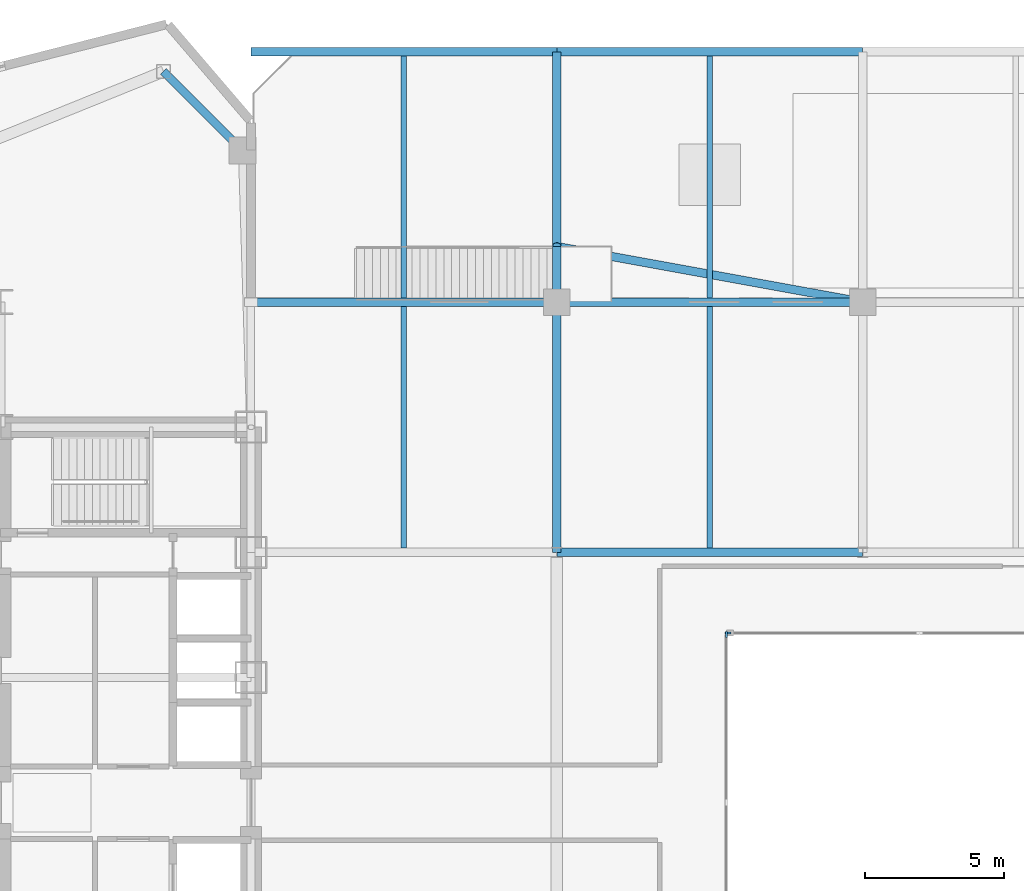
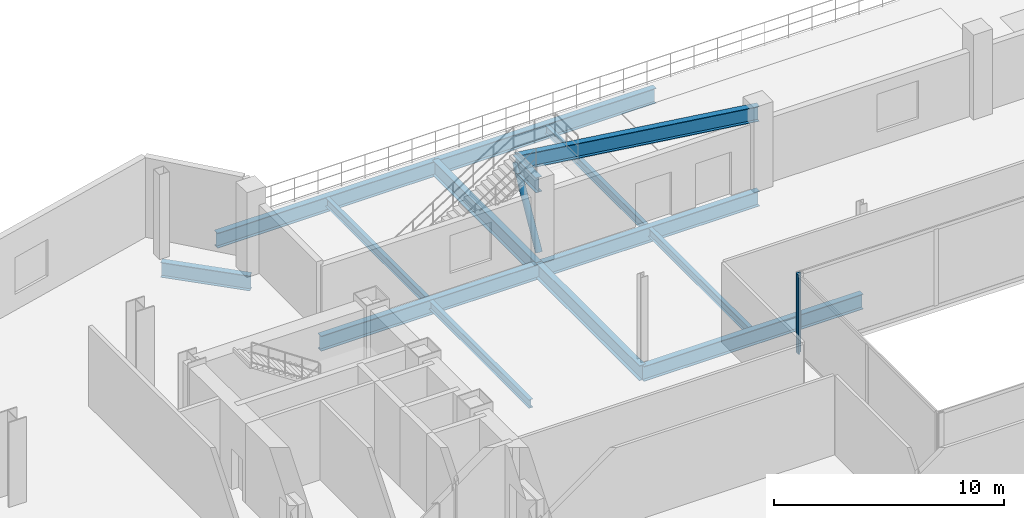
# One storey, part 12 of 27: 14 beams, 3 members, 2 elements without a shape of their own.
"""IFC4 building model written with IfcOpenShell, lengths in metres."""

from ifc_helpers import new_model, si_unit, direction, frame, origin, origin_2d, place, context, subcontext, project, spatial, rectangle, hollow_circle, i_section, extrude, source, transform, mapped, material, layer, layer_set, material_profile, profile_set, type_object, type_shapes, element, aggregate, save


model = new_model("IFC4")

# Units and contexts
model_context = context("Model", 3, precision=1e-05, world=origin(), true_north=direction((0.0, 1.0)))
body_context = subcontext(model_context, "Body", "Model", "MODEL_VIEW")
ifc_project = project(units=[si_unit("LENGTHUNIT", "METRE"), si_unit("AREAUNIT", "SQUARE_METRE"), si_unit("VOLUMEUNIT", "CUBIC_METRE"), si_unit("PLANEANGLEUNIT", "RADIAN"), si_unit("MASSUNIT", "GRAM", prefix="KILO")], contexts=[model_context])

# Site, building, storey
site_placement = place(None, origin())
site = spatial("IfcSite", under=ifc_project, at=site_placement, CompositionType="ELEMENT")
building_placement = place(site_placement, origin())
building = spatial("IfcBuilding", under=site, at=building_placement, Name="Seokmaru Belvedere", CompositionType="ELEMENT")
storey_placement = place(building_placement, frame((0.0, 0.0, 9.89990234375)))
storey = spatial("IfcBuildingStorey", under=building, at=storey_placement, Name="L02", CompositionType="ELEMENT", Elevation=9.89990234375)

# Beams
ifc_material_1 = material(Name="Steel SM355 (355 MPa)", Category="steel")
ifc_material_profile_1 = material_profile(ifc_material_1, i_section(OverallWidth=0.300048828125, OverallDepth=0.800048828125, WebThickness=0.013916015625, FlangeThickness=0.02587890625, at=origin_2d()), Name="H-800x300x14x26")
ifc_profile_set_1 = profile_set([ifc_material_profile_1], Name="Steel SM355 (355 MPa)")
beam_type_1 = type_object("IfcBeamType", Name="Podium Primary Girder H-800", PredefinedType="BEAM", material=ifc_profile_set_1)
shared_shape_1 = source(origin(), body_context, "Body", "SweptSolid", [
    extrude(i_section(OverallWidth=0.300048828125, OverallDepth=0.800048828125, WebThickness=0.013916015625, FlangeThickness=0.02587890625, at=origin_2d()), origin(), (0.0, 0.0, 1.0), 9.0),
])
for number, where, z_axis, x_axis, name in (
    (1, (-16.5, 9.0, -0.679931640625), (0.0, 1.0, 0.0), (-1.0, 0.0, 0.0), "L02 Central Podium Transverse Girder 1-4"),
    (2, (-16.5, 18.0, -0.679931640625), (0.0, 1.0, 0.0), (-1.0, 0.0, 0.0), "L02 Central Podium Transverse Girder 1-5"),
):
    element("IfcBeam", number, at=place(storey_placement, frame(where, z_axis=z_axis, x_axis=x_axis)), inside=storey, type_object=beam_type_1, Name=name, PredefinedType="BEAM", context=body_context, shape_type="MappedRepresentation", body=[
        mapped(shared_shape_1, transform((0.0, 0.0, 0.0), scale=1.0)),
    ])
ifc_material_profile_2 = material_profile(ifc_material_1, i_section(OverallWidth=0.199951171875, OverallDepth=0.449951171875, WebThickness=0.009033203125, FlangeThickness=0.013916015625, at=origin_2d()), Name="H-450x200x9x14")
ifc_profile_set_2 = profile_set([ifc_material_profile_2], Name="Steel SM355 (355 MPa)")
beam_type_2 = type_object("IfcBeamType", Name="Podium Secondary Joist H-450", PredefinedType="JOIST", material=ifc_profile_set_2)
shared_shape_2 = source(origin(), body_context, "Body", "SweptSolid", [
    extrude(i_section(OverallWidth=0.199951171875, OverallDepth=0.449951171875, WebThickness=0.009033203125, FlangeThickness=0.013916015625, at=origin_2d()), origin(), (0.0, 0.0, 1.0), 8.68994140625),
])
type_shapes(beam_type_2, [shared_shape_2])
for number, where, z_axis, x_axis, name in (
    (3, (-22.0, 9.155029296875, -0.5048828125), (0.0, 1.0, 0.0), (-1.0, 0.0, 0.0), "L02 Central Podium Secondary Joist 1-3"),
    (4, (-22.0, 18.155029296875, -0.5048828125), (0.0, 1.0, 0.0), (-1.0, 0.0, 0.0), "L02 Central Podium Secondary Joist 1-4"),
    (5, (-11.0, 9.155029296875, -0.5048828125), (0.0, 1.0, 0.0), (-1.0, 0.0, 0.0), "L02 Central Podium Secondary Joist 2-3"),
    (6, (-11.0, 18.155029296875, -0.5048828125), (0.0, 1.0, 0.0), (-1.0, 0.0, 0.0), "L02 Central Podium Secondary Joist 2-4"),
):
    element("IfcBeam", number, at=place(storey_placement, frame(where, z_axis=z_axis, x_axis=x_axis)), inside=storey, type_object=beam_type_2, Name=name, PredefinedType="JOIST", context=body_context, shape_type="MappedRepresentation", body=[
        mapped(shared_shape_2, transform((0.0, 0.0, 0.0), scale=1.0)),
    ])
shared_shape_3 = source(origin(), body_context, "Body", "SweptSolid", [
    extrude(i_section(OverallWidth=0.300048828125, OverallDepth=0.800048828125, WebThickness=0.013916015625, FlangeThickness=0.02587890625, at=origin_2d()), origin(), (0.0, 0.0, 1.0), 4.02099609375),
])
beam_1_placement = place(storey_placement, frame((-30.643310546875, 26.294677734375, -0.679931640625), z_axis=(0.707106781187, -0.707106781187, 0.0), x_axis=(0.707106781187, 0.707106781187, 0.0)))
element("IfcBeam", 7, at=beam_1_placement, inside=storey, type_object=beam_type_1, Name="L02 W Podium North Shoulder Girder", PredefinedType="BEAM", context=body_context, shape_type="MappedRepresentation", body=[
    mapped(shared_shape_3, transform((0.0, 0.0, 0.0), scale=1.0)),
])
shared_shape_4 = source(origin(), body_context, "Body", "SweptSolid", [
    extrude(i_section(OverallWidth=0.300048828125, OverallDepth=0.800048828125, WebThickness=0.013916015625, FlangeThickness=0.02587890625, at=origin_2d()), origin(), (0.0, 0.0, 1.0), 11.0),
])
for number, where, z_axis, x_axis, name in (
    (8, (-16.5, 9.0, -0.679931640625), (1.0, 0.0, 0.0), (0.0, 1.0, 0.0), "L02 Central Podium Girder 4-2"),
    (9, (-27.5, 18.0, -0.679931640625), (1.0, 0.0, 0.0), (0.0, 1.0, 0.0), "L02 Central Podium Girder 5-1"),
    (10, (-16.5, 18.0, -0.679931640625), (1.0, 0.0, 0.0), (0.0, 1.0, 0.0), "L02 Central Podium Girder 5-2"),
    (11, (-27.5, 27.0, -0.679931640625), (1.0, 0.0, 0.0), (0.0, 1.0, 0.0), "L02 Central Podium Girder 6-1"),
    (12, (-16.5, 27.0, -0.679931640625), (1.0, 0.0, 0.0), (0.0, 1.0, 0.0), "L02 Central Podium Girder 6-2"),
):
    element("IfcBeam", number, at=place(storey_placement, frame(where, z_axis=z_axis, x_axis=x_axis)), inside=storey, type_object=beam_type_1, Name=name, PredefinedType="BEAM", context=body_context, shape_type="MappedRepresentation", body=[
        mapped(shared_shape_4, transform((0.0, 0.0, 0.0), scale=1.0)),
    ])

# Curtain wall, member
ifc_material_2 = material(Name="Bronze Triple Insulating Glass", Category="glass")
ifc_layer = layer(ifc_material_2, 0.219970703125)
ifc_layer_set = layer_set([ifc_layer], Name="Bronze Triple Insulating Glass")
curtain_wall_type = type_object("IfcCurtainWallType", Name="Podium Concourse Curtain Wall System CW-1", PredefinedType="NOTDEFINED", material=ifc_layer_set)
curtain_wall_1_placement = place(storey_placement, origin())
curtain_wall_1 = element("IfcCurtainWall", 13, at=curtain_wall_1_placement, inside=storey, type_object=curtain_wall_type, Name="L02 Curtain Wall AT_N", PredefinedType="NOTDEFINED")
ifc_material_3 = material(Name="Anodised Bronze Aluminium", Category="aluminium")
ifc_material_profile_3 = material_profile(ifc_material_3, rectangle(XDim=0.080078125, YDim=0.219970703125, at=origin_2d()), Name="CW-M-80x220")
ifc_profile_set_3 = profile_set([ifc_material_profile_3], Name="Anodised Bronze Aluminium")
member_type_1 = type_object("IfcMemberType", Name="Bronze Unitised Mullion 80x220", PredefinedType="MULLION", material=ifc_profile_set_3)
shared_shape_5 = source(origin(), body_context, "Body", "SweptSolid", [
    extrude(rectangle(XDim=0.080078125, YDim=0.219970703125, at=origin_2d()), origin(), (0.0, 0.0, 1.0), 4.22021484375),
])
type_shapes(member_type_1, [shared_shape_5])
member_1_placement = place(storey_placement, frame((-10.340087890625, 6.10009765625, 0.0), z_axis=(0.0, 0.0, 1.0), x_axis=(0.0, -1.0, 0.0)))
member_1 = element("IfcMember", 14, at=member_1_placement, type_object=member_type_1, Name="CW:L02:AT_N Mullion 4", PredefinedType="MULLION", context=body_context, shape_type="MappedRepresentation", body=[
    mapped(shared_shape_5, transform((0.0, 0.0, 0.0), scale=1.0)),
])
aggregate(curtain_wall_1, [member_1])

curtain_wall_2_placement = place(storey_placement, origin())
curtain_wall_2 = element("IfcCurtainWall", 15, at=curtain_wall_2_placement, inside=storey, type_object=curtain_wall_type, Name="L02 Curtain Wall AT_W", PredefinedType="NOTDEFINED")
member_2_placement = place(storey_placement, frame((-10.39990234375, 6.0400390625, 0.0), z_axis=(0.0, 0.0, 1.0), x_axis=(1.0, 0.0, 0.0)))
member_2 = element("IfcMember", 16, at=member_2_placement, type_object=member_type_1, Name="CW:L02:AT_W Mullion 1", PredefinedType="MULLION", context=body_context, shape_type="MappedRepresentation", body=[
    mapped(shared_shape_5, transform((0.0, 0.0, 0.0), scale=1.0)),
])
aggregate(curtain_wall_2, [member_2])

# Beams
shared_shape_6 = source(origin(), body_context, "Body", "SweptSolid", [
    extrude(i_section(OverallWidth=0.300048828125, OverallDepth=0.800048828125, WebThickness=0.013916015625, FlangeThickness=0.02587890625, at=origin_2d()), origin(), (0.0, 0.0, 1.0), 2.0),
])
beam_2_placement = place(storey_placement, frame((-16.5, 18.0, 3.820068359375), z_axis=(0.0, 1.0, 0.0), x_axis=(-1.0, 0.0, 0.0)))
element("IfcBeam", 17, at=beam_2_placement, inside=storey, type_object=beam_type_1, Name="L02 Terrace Stair Bracket Girder N3", PredefinedType="BEAM", context=body_context, shape_type="MappedRepresentation", body=[
    mapped(shared_shape_6, transform((0.0, 0.0, 0.0), scale=1.0)),
])
shared_shape_7 = source(origin(), body_context, "Body", "SweptSolid", [
    extrude(i_section(OverallWidth=0.300048828125, OverallDepth=0.800048828125, WebThickness=0.013916015625, FlangeThickness=0.02587890625, at=origin_2d()), origin(), (0.0, 0.0, 1.0), 11.180419921875),
])
type_shapes(beam_type_1, [shared_shape_1, shared_shape_3, shared_shape_4, shared_shape_6, shared_shape_7])
beam_3_placement = place(storey_placement, frame((-16.5, 20.0, 3.820068359375), z_axis=(0.9838699101, -0.1788854382, 0.0), x_axis=(0.1788854382, 0.9838699101, 0.0)))
element("IfcBeam", 18, at=beam_3_placement, inside=storey, type_object=beam_type_1, Name="L02 Terrace Stair Diagonal Support Girder N3", PredefinedType="BEAM", context=body_context, shape_type="MappedRepresentation", body=[
    mapped(shared_shape_7, transform((0.0, 0.0, 0.0), scale=1.0)),
])

# Member
ifc_material_profile_4 = material_profile(ifc_material_1, hollow_circle(Radius=0.1591796875, WallThickness=0.01025390625, at=origin_2d()), Name="CHS-318.5x10.3")
ifc_profile_set_4 = profile_set([ifc_material_profile_4], Name="Steel SM355 (355 MPa)")
member_type_2 = type_object("IfcMemberType", Name="Podium Portal Wind Brace CHS-318", PredefinedType="BRACE", material=ifc_profile_set_4)
shared_shape_8 = source(origin(), body_context, "Body", "SweptSolid", [
    extrude(hollow_circle(Radius=0.1591796875, WallThickness=0.01025390625, at=origin_2d()), origin(), (0.0, 0.0, 1.0), 4.092041015625),
])
type_shapes(member_type_2, [shared_shape_8])
member_3_placement = place(storey_placement, frame((-16.5, 18.0, 0.25), z_axis=(0.0, 0.488745067071, 0.872426649876), x_axis=(-1.0, 0.0, 0.0)))
element("IfcMember", 19, at=member_3_placement, inside=storey, type_object=member_type_2, Name="L02 Terrace Stair Knee Brace N3", PredefinedType="BRACE", context=body_context, shape_type="MappedRepresentation", body=[
    mapped(shared_shape_8, transform((0.0, 0.0, 0.0), scale=1.0)),
])

save(model, "model.ifc")
